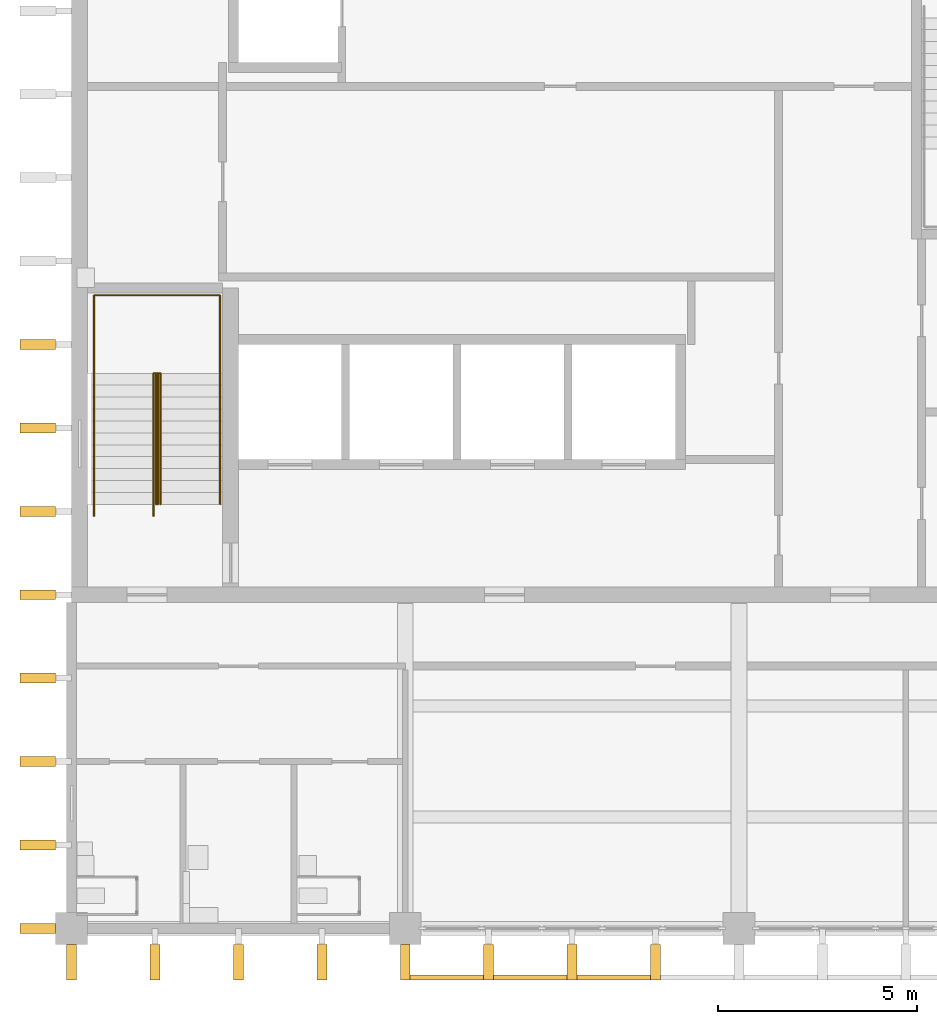
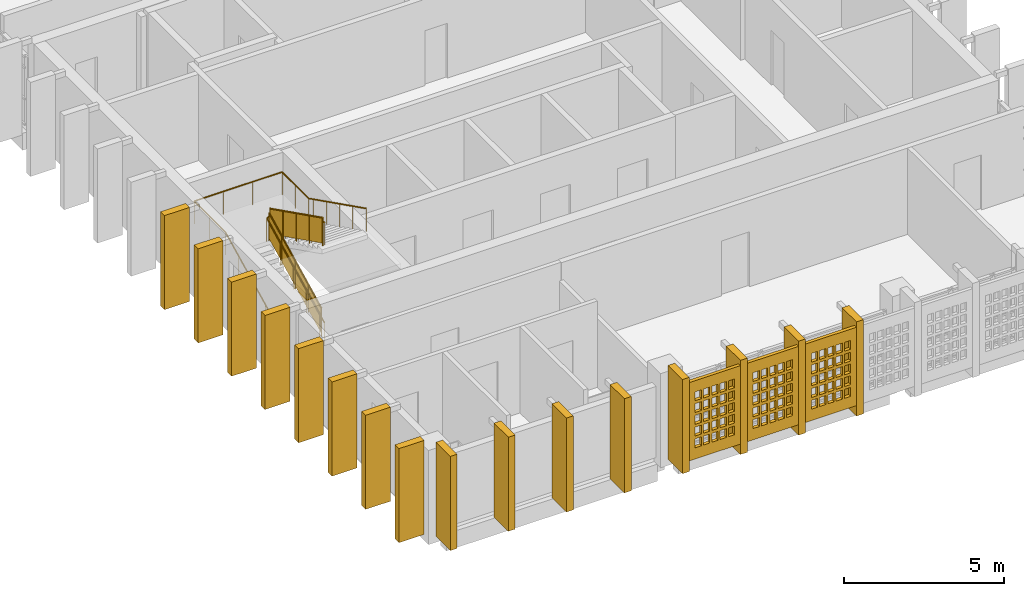
# One storey, part 8 of 13: 19 shading devices, 4 railings, 3 openings.
"""IFC4 building model written with IfcOpenShell, lengths in metres."""

from ifc_helpers import new_model, si_unit, direction, frame, origin, origin_2d, place, context, subcontext, project, spatial, polyline, rectangle, circle, outline, extrude, material, layer, layer_set, material_profile, profile_set, type_object, element, save


model = new_model("IFC4")

# Units and contexts
model_context = context("Model", 3, precision=1e-05, world=origin(), true_north=direction((0.0, 1.0)))
body_context = subcontext(model_context, "Body", "Model", "MODEL_VIEW")
ifc_project = project(units=[si_unit("LENGTHUNIT", "METRE"), si_unit("AREAUNIT", "SQUARE_METRE"), si_unit("VOLUMEUNIT", "CUBIC_METRE"), si_unit("PLANEANGLEUNIT", "RADIAN"), si_unit("MASSUNIT", "GRAM", prefix="KILO")], contexts=[model_context])

# Site, building, storey
site_placement = place(None, origin())
site = spatial("IfcSite", under=ifc_project, at=site_placement, CompositionType="ELEMENT")
building_placement = place(site_placement, origin())
building = spatial("IfcBuilding", under=site, at=building_placement, Name="Rulbaag Community and Learning Centre", CompositionType="ELEMENT")
storey_placement = place(building_placement, frame((0.0, 0.0, 39.60009765625)))
storey = spatial("IfcBuildingStorey", under=building, at=storey_placement, Name="L10", CompositionType="ELEMENT", Elevation=39.60009765625)

# Shading devices
ifc_material_1 = material(Name="Concrete M40", Category="concrete")
ifc_material_profile = material_profile(ifc_material_1, rectangle(XDim=0.25, YDim=0.89990234375, at=origin_2d()), Name="PC 250x900")
ifc_profile_set = profile_set([ifc_material_profile], Name="Concrete M40")
shading_device_type_1 = type_object("IfcShadingDeviceType", Name="FIN-H", PredefinedType="JALOUSIE", material=ifc_profile_set)
for number, where, z_axis, x_axis, name in (
    (1, (142.800048828125, 83.14990234375, 0.0), (0.0, 0.0, 1.0), (1.0, 0.0, 0.0), "Precast fin"),
    (2, (144.89990234375, 83.14990234375, 0.0), (0.0, 0.0, 1.0), (1.0, 0.0, 0.0), "Precast fin"),
    (3, (147.0, 83.14990234375, 0.0), (0.0, 0.0, 1.0), (1.0, 0.0, 0.0), "Precast fin"),
    (4, (149.10009765625, 83.14990234375, 0.0), (0.0, 0.0, 1.0), (1.0, 0.0, 0.0), "Precast fin"),
    (5, (151.199951171875, 83.14990234375, 0.0), (0.0, 0.0, 1.0), (1.0, 0.0, 0.0), "Precast fin"),
    (6, (153.300048828125, 83.14990234375, 0.0), (0.0, 0.0, 1.0), (1.0, 0.0, 0.0), "Precast fin"),
    (7, (155.39990234375, 83.14990234375, 0.0), (0.0, 0.0, 1.0), (1.0, 0.0, 0.0), "Precast fin"),
    (8, (157.5, 83.14990234375, 0.0), (0.0, 0.0, 1.0), (1.0, 0.0, 0.0), "Precast fin"),
    (9, (141.949951171875, 84.0, 0.0), (0.0, 0.0, 1.0), (0.0, 1.0, 0.0), "Precast fin"),
    (10, (141.949951171875, 86.10009765625, 0.0), (0.0, 0.0, 1.0), (0.0, 1.0, 0.0), "Precast fin"),
    (11, (141.949951171875, 88.199951171875, 0.0), (0.0, 0.0, 1.0), (0.0, 1.0, 0.0), "Precast fin"),
    (12, (141.949951171875, 90.300048828125, 0.0), (0.0, 0.0, 1.0), (0.0, 1.0, 0.0), "Precast fin"),
    (13, (141.949951171875, 92.39990234375, 0.0), (0.0, 0.0, 1.0), (0.0, 1.0, 0.0), "Precast fin"),
    (14, (141.949951171875, 94.5, 0.0), (0.0, 0.0, 1.0), (0.0, 1.0, 0.0), "Precast fin"),
    (15, (141.949951171875, 96.60009765625, 0.0), (0.0, 0.0, 1.0), (0.0, 1.0, 0.0), "Precast fin"),
    (16, (141.949951171875, 98.699951171875, 0.0), (0.0, 0.0, 1.0), (0.0, 1.0, 0.0), "Precast fin"),
):
    element("IfcShadingDevice", number, at=place(storey_placement, frame(where, z_axis=z_axis, x_axis=x_axis)), inside=storey, type_object=shading_device_type_1, Name=name, PredefinedType="JALOUSIE", context=body_context, shape_type="SweptSolid", body=[
        extrude(rectangle(XDim=0.25, YDim=0.89990234375, at=origin_2d()), origin(), (0.0, 0.0, 1.0), 3.599853515625),
    ])

# Railings
ifc_material_2 = material(Name="Galvanised mild steel", Category="steel")
railing_type_1 = type_object("IfcRailingType", Name="GR-1100 GUARD 1100", PredefinedType="GUARDRAIL", material=ifc_material_2)
railing_1_placement = place(storey_placement, frame((144.929931640625, 94.675048828125, 0.14990234375)))
element("IfcRailing", 17, at=railing_1_placement, inside=storey, type_object=railing_type_1, Name="Guard ST1 L10 G", PredefinedType="GUARDRAIL", context=body_context, shape_type="SweptSolid", body=[
    extrude(circle(Radius=0.02490234375, at=origin_2d()), frame((0.0, 0.0, 1.0751953125), z_axis=(0.0, 0.894440424912, 0.447187126696), x_axis=(-1.0, 0.0, 0.0)), (0.0, 0.0, 1.0), 3.689453125),
    extrude(circle(Radius=0.02001953125, at=origin_2d()), origin(), (0.0, 0.0, 1.0), 1.050048828125),
    extrude(circle(Radius=0.02001953125, at=origin_2d()), frame((0.0, 0.824951171875, 0.41259765625)), (0.0, 0.0, 1.0), 1.050048828125),
    extrude(circle(Radius=0.02001953125, at=origin_2d()), frame((0.0, 1.64990234375, 0.824951171875)), (0.0, 0.0, 1.0), 1.050048828125),
    extrude(circle(Radius=0.02001953125, at=origin_2d()), frame((0.0, 2.47509765625, 1.2373046875)), (0.0, 0.0, 1.0), 1.050048828125),
    extrude(circle(Radius=0.02001953125, at=origin_2d()), frame((0.0, 3.300048828125, 1.64990234375)), (0.0, 0.0, 1.0), 1.050048828125),
    extrude(outline(polyline([(0.0, 0.0), (3.300048828125, 1.64990234375), (3.300048828125, 2.599853515625), (0.0, 0.949951171875), (0.0, 0.0)])), frame((-0.0048828125, 0.0, 0.10009765625), z_axis=(1.0, 0.0, 0.0), x_axis=(0.0, 1.0, 0.0)), (0.0, 0.0, 1.0), 0.010009765625),
])
railing_2_placement = place(storey_placement, frame((144.969970703125, 97.97509765625, 1.949951171875)))
element("IfcRailing", 18, at=railing_2_placement, inside=storey, type_object=railing_type_1, Name="Guard ST1 L10 G2", PredefinedType="GUARDRAIL", context=body_context, shape_type="SweptSolid", body=[
    extrude(circle(Radius=0.02490234375, at=origin_2d()), frame((0.0, 0.0, 1.0751953125), z_axis=(0.0, -0.894440424912, 0.447187126696), x_axis=(1.0, 0.0, 0.0)), (0.0, 0.0, 1.0), 3.689453125),
    extrude(circle(Radius=0.02001953125, at=origin_2d()), origin(), (0.0, 0.0, 1.0), 1.050048828125),
    extrude(circle(Radius=0.02001953125, at=origin_2d()), frame((0.0, -0.824951171875, 0.41259765625)), (0.0, 0.0, 1.0), 1.050048828125),
    extrude(circle(Radius=0.02001953125, at=origin_2d()), frame((0.0, -1.64990234375, 0.824951171875)), (0.0, 0.0, 1.0), 1.050048828125),
    extrude(circle(Radius=0.02001953125, at=origin_2d()), frame((0.0, -2.47509765625, 1.2373046875)), (0.0, 0.0, 1.0), 1.050048828125),
    extrude(circle(Radius=0.02001953125, at=origin_2d()), frame((0.0, -3.300048828125, 1.64990234375)), (0.0, 0.0, 1.0), 1.050048828125),
    extrude(outline(polyline([(0.0, 0.0), (3.300048828125, 1.64990234375), (3.300048828125, 2.599853515625), (0.0, 0.949951171875), (0.0, 0.0)])), frame((0.0048828125, 0.0, 0.10009765625), z_axis=(-1.0, 0.0, 0.0), x_axis=(0.0, -1.0, 0.0)), (0.0, 0.0, 1.0), 0.010009765625),
])
ifc_material_3 = material(Name="Stainless steel grade 316", Category="steel")
railing_type_2 = type_object("IfcRailingType", Name="HR-900 HANDRAIL 900", PredefinedType="HANDRAIL", material=ifc_material_3)
railing_3_placement = place(storey_placement, frame((143.360107421875, 94.375, 0.0)))
element("IfcRailing", 19, at=railing_3_placement, inside=storey, type_object=railing_type_2, Name="Handrail ST1 L10 O", PredefinedType="HANDRAIL", context=body_context, shape_type="SweptSolid", body=[
    extrude(circle(Radius=0.024169921875, at=origin_2d()), frame((0.0, 0.0, 0.875732421875), z_axis=(0.0, 0.894572720946, 0.446922417137), x_axis=(-1.0, 0.0, 0.0)), (0.0, 0.0, 1.0), 0.33544921875),
    extrude(circle(Radius=0.024169921875, at=origin_2d()), frame((0.0, 0.300048828125, 1.025634765625), z_axis=(0.0, 0.894440424912, 0.447187126696), x_axis=(-1.0, 0.0, 0.0)), (0.0, 0.0, 1.0), 3.689453125),
    extrude(circle(Radius=0.024169921875, at=origin_2d()), frame((0.0, 3.60009765625, 2.675537109375), z_axis=(0.0, 1.0, 0.0), x_axis=(-1.0, 0.0, 0.0)), (0.0, 0.0, 1.0), 1.96484375),
    extrude(circle(Radius=0.024169921875, at=origin_2d()), frame((0.0, 5.56494140625, 2.675537109375), z_axis=(1.0, 0.0, 0.0), x_axis=(0.0, 1.0, 0.0)), (0.0, 0.0, 1.0), 3.179931640625),
    extrude(circle(Radius=0.024169921875, at=origin_2d()), frame((3.179931640625, 5.56494140625, 2.675537109375), z_axis=(0.0, -1.0, 0.0), x_axis=(1.0, 0.0, 0.0)), (0.0, 0.0, 1.0), 1.6650390625),
    extrude(circle(Radius=0.024169921875, at=origin_2d()), frame((3.179931640625, 3.89990234375, 2.675537109375), z_axis=(0.0, -0.894135751892, 0.447795999523), x_axis=(1.0, 0.0, 0.0)), (0.0, 0.0, 1.0), 0.335205078125),
    extrude(circle(Radius=0.024169921875, at=origin_2d()), frame((3.179931640625, 3.60009765625, 2.82568359375), z_axis=(0.0, -0.894440424912, 0.447187126696), x_axis=(1.0, 0.0, 0.0)), (0.0, 0.0, 1.0), 3.689453125),
    extrude(circle(Radius=0.008056640625, at=origin_2d()), origin(), (0.0, 0.0, 1.0), 0.8515625),
    extrude(circle(Radius=0.008056640625, at=origin_2d()), frame((0.0, 0.300048828125, 0.14990234375)), (0.0, 0.0, 1.0), 0.8515625),
    extrude(circle(Radius=0.008056640625, at=origin_2d()), frame((0.0, 1.125, 0.5625)), (0.0, 0.0, 1.0), 0.8515625),
    extrude(circle(Radius=0.008056640625, at=origin_2d()), frame((0.0, 1.9501953125, 0.974853515625)), (0.0, 0.0, 1.0), 0.8515625),
    extrude(circle(Radius=0.008056640625, at=origin_2d()), frame((0.0, 2.775146484375, 1.38720703125)), (0.0, 0.0, 1.0), 0.8515625),
    extrude(circle(Radius=0.008056640625, at=origin_2d()), frame((0.0, 3.60009765625, 1.7998046875)), (0.0, 0.0, 1.0), 0.8515625),
    extrude(circle(Radius=0.008056640625, at=origin_2d()), frame((0.0, 4.58251953125, 1.7998046875)), (0.0, 0.0, 1.0), 0.8515625),
    extrude(circle(Radius=0.008056640625, at=origin_2d()), frame((0.0, 5.56494140625, 1.7998046875)), (0.0, 0.0, 1.0), 0.8515625),
    extrude(circle(Radius=0.008056640625, at=origin_2d()), frame((1.06005859375, 5.56494140625, 1.7998046875)), (0.0, 0.0, 1.0), 0.8515625),
    extrude(circle(Radius=0.008056640625, at=origin_2d()), frame((2.119873046875, 5.56494140625, 1.7998046875)), (0.0, 0.0, 1.0), 0.8515625),
    extrude(circle(Radius=0.008056640625, at=origin_2d()), frame((3.179931640625, 5.56494140625, 1.7998046875)), (0.0, 0.0, 1.0), 0.8515625),
    extrude(circle(Radius=0.008056640625, at=origin_2d()), frame((3.179931640625, 4.732421875, 1.7998046875)), (0.0, 0.0, 1.0), 0.8515625),
    extrude(circle(Radius=0.008056640625, at=origin_2d()), frame((3.179931640625, 3.89990234375, 1.7998046875)), (0.0, 0.0, 1.0), 0.8515625),
    extrude(circle(Radius=0.008056640625, at=origin_2d()), frame((3.179931640625, 3.60009765625, 1.949951171875)), (0.0, 0.0, 1.0), 0.8515625),
    extrude(circle(Radius=0.008056640625, at=origin_2d()), frame((3.179931640625, 2.775146484375, 2.3623046875)), (0.0, 0.0, 1.0), 0.8515625),
    extrude(circle(Radius=0.008056640625, at=origin_2d()), frame((3.179931640625, 1.9501953125, 2.77490234375)), (0.0, 0.0, 1.0), 0.8515625),
    extrude(circle(Radius=0.008056640625, at=origin_2d()), frame((3.179931640625, 1.125, 3.1875)), (0.0, 0.0, 1.0), 0.8515625),
    extrude(circle(Radius=0.008056640625, at=origin_2d()), frame((3.179931640625, 0.300048828125, 3.599853515625)), (0.0, 0.0, 1.0), 0.8515625),
])
railing_4_placement = place(storey_placement, frame((144.860107421875, 94.375, 0.0)))
element("IfcRailing", 20, at=railing_4_placement, inside=storey, type_object=railing_type_2, Name="Handrail ST1 L10 I", PredefinedType="HANDRAIL", context=body_context, shape_type="SweptSolid", body=[
    extrude(circle(Radius=0.024169921875, at=origin_2d()), frame((0.0, 0.0, 0.875732421875), z_axis=(0.0, 0.894572720946, 0.446922417137), x_axis=(-1.0, 0.0, 0.0)), (0.0, 0.0, 1.0), 0.33544921875),
    extrude(circle(Radius=0.024169921875, at=origin_2d()), frame((0.0, 0.300048828125, 1.025634765625), z_axis=(0.0, 0.894440424912, 0.447187126696), x_axis=(-1.0, 0.0, 0.0)), (0.0, 0.0, 1.0), 3.689453125),
    extrude(circle(Radius=0.024169921875, at=origin_2d()), frame((0.0, 3.60009765625, 2.675537109375), z_axis=(0.767794148456, 0.0, 0.640696609634), x_axis=(0.0, 1.0, 0.0)), (0.0, 0.0, 1.0), 0.234375),
    extrude(circle(Radius=0.024169921875, at=origin_2d()), frame((0.179931640625, 3.60009765625, 2.82568359375), z_axis=(0.0, -0.894440424912, 0.447187126696), x_axis=(1.0, 0.0, 0.0)), (0.0, 0.0, 1.0), 3.689453125),
    extrude(circle(Radius=0.008056640625, at=origin_2d()), origin(), (0.0, 0.0, 1.0), 0.8515625),
    extrude(circle(Radius=0.008056640625, at=origin_2d()), frame((0.0, 0.300048828125, 0.14990234375)), (0.0, 0.0, 1.0), 0.8515625),
    extrude(circle(Radius=0.008056640625, at=origin_2d()), frame((0.0, 1.125, 0.5625)), (0.0, 0.0, 1.0), 0.8515625),
    extrude(circle(Radius=0.008056640625, at=origin_2d()), frame((0.0, 1.9501953125, 0.974853515625)), (0.0, 0.0, 1.0), 0.8515625),
    extrude(circle(Radius=0.008056640625, at=origin_2d()), frame((0.0, 2.775146484375, 1.38720703125)), (0.0, 0.0, 1.0), 0.8515625),
    extrude(circle(Radius=0.008056640625, at=origin_2d()), frame((0.0, 3.60009765625, 1.7998046875)), (0.0, 0.0, 1.0), 0.8515625),
    extrude(circle(Radius=0.008056640625, at=origin_2d()), frame((0.179931640625, 3.60009765625, 1.949951171875)), (0.0, 0.0, 1.0), 0.8515625),
    extrude(circle(Radius=0.008056640625, at=origin_2d()), frame((0.179931640625, 2.775146484375, 2.3623046875)), (0.0, 0.0, 1.0), 0.8515625),
    extrude(circle(Radius=0.008056640625, at=origin_2d()), frame((0.179931640625, 1.9501953125, 2.77490234375)), (0.0, 0.0, 1.0), 0.8515625),
    extrude(circle(Radius=0.008056640625, at=origin_2d()), frame((0.179931640625, 1.125, 3.1875)), (0.0, 0.0, 1.0), 0.8515625),
    extrude(circle(Radius=0.008056640625, at=origin_2d()), frame((0.179931640625, 0.300048828125, 3.599853515625)), (0.0, 0.0, 1.0), 0.8515625),
])

# Shading device, opening
ifc_layer = layer(ifc_material_1, 0.1201171875)
ifc_layer_set = layer_set([ifc_layer], Name="JB-83")
shading_device_type_2 = type_object("IfcShadingDeviceType", Name="JB-83", PredefinedType="SHUTTER", material=ifc_layer_set)
shading_device_1_placement = place(storey_placement, frame((152.25, 82.760009765625, 0.39990234375), z_axis=(0.0, 0.0, 1.0), x_axis=(1.0, 0.0, 0.0)))
shading_device_1 = element("IfcShadingDevice", 21, at=shading_device_1_placement, inside=storey, type_object=shading_device_type_2, Name="Jaali screen", PredefinedType="SHUTTER", context=body_context, shape_type="SweptSolid", body=[
    extrude(rectangle(XDim=1.85009765625, YDim=0.1201171875, at=origin_2d()), origin(), (0.0, 0.0, 1.0), 3.0),
])
opening_1_placement = place(shading_device_1_placement, origin())
element("IfcOpeningElement", 22, at=opening_1_placement, cuts=shading_device_1, Name="Perforation JB1", PredefinedType="OPENING", context=body_context, shape_type="SweptSolid", body=[
    extrude(rectangle(XDim=0.22509765625, YDim=0.340087890625, at=origin_2d()), frame((-0.60009765625, -0.070068359375, 0.60009765625), z_axis=(0.0, 1.0, 0.0), x_axis=(1.0, 0.0, 0.0)), (0.0, 0.0, 1.0), 0.139892578125),
    extrude(rectangle(XDim=0.22509765625, YDim=0.340087890625, at=origin_2d()), frame((-0.300048828125, -0.070068359375, 0.60009765625), z_axis=(0.0, 1.0, 0.0), x_axis=(1.0, 0.0, 0.0)), (0.0, 0.0, 1.0), 0.139892578125),
    extrude(rectangle(XDim=0.22509765625, YDim=0.340087890625, at=origin_2d()), frame((0.0, -0.070068359375, 0.60009765625), z_axis=(0.0, 1.0, 0.0), x_axis=(1.0, 0.0, 0.0)), (0.0, 0.0, 1.0), 0.139892578125),
    extrude(rectangle(XDim=0.22509765625, YDim=0.340087890625, at=origin_2d()), frame((0.300048828125, -0.070068359375, 0.60009765625), z_axis=(0.0, 1.0, 0.0), x_axis=(1.0, 0.0, 0.0)), (0.0, 0.0, 1.0), 0.139892578125),
    extrude(rectangle(XDim=0.22509765625, YDim=0.340087890625, at=origin_2d()), frame((0.60009765625, -0.070068359375, 0.60009765625), z_axis=(0.0, 1.0, 0.0), x_axis=(1.0, 0.0, 0.0)), (0.0, 0.0, 1.0), 0.139892578125),
    extrude(rectangle(XDim=0.22509765625, YDim=0.340087890625, at=origin_2d()), frame((-0.60009765625, -0.070068359375, 1.050048828125), z_axis=(0.0, 1.0, 0.0), x_axis=(1.0, 0.0, 0.0)), (0.0, 0.0, 1.0), 0.139892578125),
    extrude(rectangle(XDim=0.22509765625, YDim=0.340087890625, at=origin_2d()), frame((-0.300048828125, -0.070068359375, 1.050048828125), z_axis=(0.0, 1.0, 0.0), x_axis=(1.0, 0.0, 0.0)), (0.0, 0.0, 1.0), 0.139892578125),
    extrude(rectangle(XDim=0.22509765625, YDim=0.340087890625, at=origin_2d()), frame((0.0, -0.070068359375, 1.050048828125), z_axis=(0.0, 1.0, 0.0), x_axis=(1.0, 0.0, 0.0)), (0.0, 0.0, 1.0), 0.139892578125),
    extrude(rectangle(XDim=0.22509765625, YDim=0.340087890625, at=origin_2d()), frame((0.300048828125, -0.070068359375, 1.050048828125), z_axis=(0.0, 1.0, 0.0), x_axis=(1.0, 0.0, 0.0)), (0.0, 0.0, 1.0), 0.139892578125),
    extrude(rectangle(XDim=0.22509765625, YDim=0.340087890625, at=origin_2d()), frame((0.60009765625, -0.070068359375, 1.050048828125), z_axis=(0.0, 1.0, 0.0), x_axis=(1.0, 0.0, 0.0)), (0.0, 0.0, 1.0), 0.139892578125),
    extrude(rectangle(XDim=0.22509765625, YDim=0.340087890625, at=origin_2d()), frame((-0.60009765625, -0.070068359375, 1.5), z_axis=(0.0, 1.0, 0.0), x_axis=(1.0, 0.0, 0.0)), (0.0, 0.0, 1.0), 0.139892578125),
    extrude(rectangle(XDim=0.22509765625, YDim=0.340087890625, at=origin_2d()), frame((-0.300048828125, -0.070068359375, 1.5), z_axis=(0.0, 1.0, 0.0), x_axis=(1.0, 0.0, 0.0)), (0.0, 0.0, 1.0), 0.139892578125),
    extrude(rectangle(XDim=0.22509765625, YDim=0.340087890625, at=origin_2d()), frame((0.0, -0.070068359375, 1.5), z_axis=(0.0, 1.0, 0.0), x_axis=(1.0, 0.0, 0.0)), (0.0, 0.0, 1.0), 0.139892578125),
    extrude(rectangle(XDim=0.22509765625, YDim=0.340087890625, at=origin_2d()), frame((0.300048828125, -0.070068359375, 1.5), z_axis=(0.0, 1.0, 0.0), x_axis=(1.0, 0.0, 0.0)), (0.0, 0.0, 1.0), 0.139892578125),
    extrude(rectangle(XDim=0.22509765625, YDim=0.340087890625, at=origin_2d()), frame((0.60009765625, -0.070068359375, 1.5), z_axis=(0.0, 1.0, 0.0), x_axis=(1.0, 0.0, 0.0)), (0.0, 0.0, 1.0), 0.139892578125),
    extrude(rectangle(XDim=0.22509765625, YDim=0.340087890625, at=origin_2d()), frame((-0.60009765625, -0.070068359375, 1.949951171875), z_axis=(0.0, 1.0, 0.0), x_axis=(1.0, 0.0, 0.0)), (0.0, 0.0, 1.0), 0.139892578125),
    extrude(rectangle(XDim=0.22509765625, YDim=0.340087890625, at=origin_2d()), frame((-0.300048828125, -0.070068359375, 1.949951171875), z_axis=(0.0, 1.0, 0.0), x_axis=(1.0, 0.0, 0.0)), (0.0, 0.0, 1.0), 0.139892578125),
    extrude(rectangle(XDim=0.22509765625, YDim=0.340087890625, at=origin_2d()), frame((0.0, -0.070068359375, 1.949951171875), z_axis=(0.0, 1.0, 0.0), x_axis=(1.0, 0.0, 0.0)), (0.0, 0.0, 1.0), 0.139892578125),
    extrude(rectangle(XDim=0.22509765625, YDim=0.340087890625, at=origin_2d()), frame((0.300048828125, -0.070068359375, 1.949951171875), z_axis=(0.0, 1.0, 0.0), x_axis=(1.0, 0.0, 0.0)), (0.0, 0.0, 1.0), 0.139892578125),
    extrude(rectangle(XDim=0.22509765625, YDim=0.340087890625, at=origin_2d()), frame((0.60009765625, -0.070068359375, 1.949951171875), z_axis=(0.0, 1.0, 0.0), x_axis=(1.0, 0.0, 0.0)), (0.0, 0.0, 1.0), 0.139892578125),
    extrude(rectangle(XDim=0.22509765625, YDim=0.340087890625, at=origin_2d()), frame((-0.60009765625, -0.070068359375, 2.39990234375), z_axis=(0.0, 1.0, 0.0), x_axis=(1.0, 0.0, 0.0)), (0.0, 0.0, 1.0), 0.139892578125),
    extrude(rectangle(XDim=0.22509765625, YDim=0.340087890625, at=origin_2d()), frame((-0.300048828125, -0.070068359375, 2.39990234375), z_axis=(0.0, 1.0, 0.0), x_axis=(1.0, 0.0, 0.0)), (0.0, 0.0, 1.0), 0.139892578125),
    extrude(rectangle(XDim=0.22509765625, YDim=0.340087890625, at=origin_2d()), frame((0.0, -0.070068359375, 2.39990234375), z_axis=(0.0, 1.0, 0.0), x_axis=(1.0, 0.0, 0.0)), (0.0, 0.0, 1.0), 0.139892578125),
    extrude(rectangle(XDim=0.22509765625, YDim=0.340087890625, at=origin_2d()), frame((0.300048828125, -0.070068359375, 2.39990234375), z_axis=(0.0, 1.0, 0.0), x_axis=(1.0, 0.0, 0.0)), (0.0, 0.0, 1.0), 0.139892578125),
    extrude(rectangle(XDim=0.22509765625, YDim=0.340087890625, at=origin_2d()), frame((0.60009765625, -0.070068359375, 2.39990234375), z_axis=(0.0, 1.0, 0.0), x_axis=(1.0, 0.0, 0.0)), (0.0, 0.0, 1.0), 0.139892578125),
])

shading_device_2_placement = place(storey_placement, frame((154.35009765625, 82.760009765625, 0.39990234375), z_axis=(0.0, 0.0, 1.0), x_axis=(1.0, 0.0, 0.0)))
shading_device_2 = element("IfcShadingDevice", 23, at=shading_device_2_placement, inside=storey, type_object=shading_device_type_2, Name="Jaali screen", PredefinedType="SHUTTER", context=body_context, shape_type="SweptSolid", body=[
    extrude(rectangle(XDim=1.85009765625, YDim=0.1201171875, at=origin_2d()), origin(), (0.0, 0.0, 1.0), 3.0),
])
opening_2_placement = place(shading_device_2_placement, origin())
element("IfcOpeningElement", 24, at=opening_2_placement, cuts=shading_device_2, Name="Perforation JB1", PredefinedType="OPENING", context=body_context, shape_type="SweptSolid", body=[
    extrude(rectangle(XDim=0.22509765625, YDim=0.340087890625, at=origin_2d()), frame((-0.60009765625, -0.070068359375, 0.60009765625), z_axis=(0.0, 1.0, 0.0), x_axis=(1.0, 0.0, 0.0)), (0.0, 0.0, 1.0), 0.139892578125),
    extrude(rectangle(XDim=0.22509765625, YDim=0.340087890625, at=origin_2d()), frame((-0.300048828125, -0.070068359375, 0.60009765625), z_axis=(0.0, 1.0, 0.0), x_axis=(1.0, 0.0, 0.0)), (0.0, 0.0, 1.0), 0.139892578125),
    extrude(rectangle(XDim=0.22509765625, YDim=0.340087890625, at=origin_2d()), frame((0.0, -0.070068359375, 0.60009765625), z_axis=(0.0, 1.0, 0.0), x_axis=(1.0, 0.0, 0.0)), (0.0, 0.0, 1.0), 0.139892578125),
    extrude(rectangle(XDim=0.22509765625, YDim=0.340087890625, at=origin_2d()), frame((0.300048828125, -0.070068359375, 0.60009765625), z_axis=(0.0, 1.0, 0.0), x_axis=(1.0, 0.0, 0.0)), (0.0, 0.0, 1.0), 0.139892578125),
    extrude(rectangle(XDim=0.22509765625, YDim=0.340087890625, at=origin_2d()), frame((0.60009765625, -0.070068359375, 0.60009765625), z_axis=(0.0, 1.0, 0.0), x_axis=(1.0, 0.0, 0.0)), (0.0, 0.0, 1.0), 0.139892578125),
    extrude(rectangle(XDim=0.22509765625, YDim=0.340087890625, at=origin_2d()), frame((-0.60009765625, -0.070068359375, 1.050048828125), z_axis=(0.0, 1.0, 0.0), x_axis=(1.0, 0.0, 0.0)), (0.0, 0.0, 1.0), 0.139892578125),
    extrude(rectangle(XDim=0.22509765625, YDim=0.340087890625, at=origin_2d()), frame((-0.300048828125, -0.070068359375, 1.050048828125), z_axis=(0.0, 1.0, 0.0), x_axis=(1.0, 0.0, 0.0)), (0.0, 0.0, 1.0), 0.139892578125),
    extrude(rectangle(XDim=0.22509765625, YDim=0.340087890625, at=origin_2d()), frame((0.0, -0.070068359375, 1.050048828125), z_axis=(0.0, 1.0, 0.0), x_axis=(1.0, 0.0, 0.0)), (0.0, 0.0, 1.0), 0.139892578125),
    extrude(rectangle(XDim=0.22509765625, YDim=0.340087890625, at=origin_2d()), frame((0.300048828125, -0.070068359375, 1.050048828125), z_axis=(0.0, 1.0, 0.0), x_axis=(1.0, 0.0, 0.0)), (0.0, 0.0, 1.0), 0.139892578125),
    extrude(rectangle(XDim=0.22509765625, YDim=0.340087890625, at=origin_2d()), frame((0.60009765625, -0.070068359375, 1.050048828125), z_axis=(0.0, 1.0, 0.0), x_axis=(1.0, 0.0, 0.0)), (0.0, 0.0, 1.0), 0.139892578125),
    extrude(rectangle(XDim=0.22509765625, YDim=0.340087890625, at=origin_2d()), frame((-0.60009765625, -0.070068359375, 1.5), z_axis=(0.0, 1.0, 0.0), x_axis=(1.0, 0.0, 0.0)), (0.0, 0.0, 1.0), 0.139892578125),
    extrude(rectangle(XDim=0.22509765625, YDim=0.340087890625, at=origin_2d()), frame((-0.300048828125, -0.070068359375, 1.5), z_axis=(0.0, 1.0, 0.0), x_axis=(1.0, 0.0, 0.0)), (0.0, 0.0, 1.0), 0.139892578125),
    extrude(rectangle(XDim=0.22509765625, YDim=0.340087890625, at=origin_2d()), frame((0.0, -0.070068359375, 1.5), z_axis=(0.0, 1.0, 0.0), x_axis=(1.0, 0.0, 0.0)), (0.0, 0.0, 1.0), 0.139892578125),
    extrude(rectangle(XDim=0.22509765625, YDim=0.340087890625, at=origin_2d()), frame((0.300048828125, -0.070068359375, 1.5), z_axis=(0.0, 1.0, 0.0), x_axis=(1.0, 0.0, 0.0)), (0.0, 0.0, 1.0), 0.139892578125),
    extrude(rectangle(XDim=0.22509765625, YDim=0.340087890625, at=origin_2d()), frame((0.60009765625, -0.070068359375, 1.5), z_axis=(0.0, 1.0, 0.0), x_axis=(1.0, 0.0, 0.0)), (0.0, 0.0, 1.0), 0.139892578125),
    extrude(rectangle(XDim=0.22509765625, YDim=0.340087890625, at=origin_2d()), frame((-0.60009765625, -0.070068359375, 1.949951171875), z_axis=(0.0, 1.0, 0.0), x_axis=(1.0, 0.0, 0.0)), (0.0, 0.0, 1.0), 0.139892578125),
    extrude(rectangle(XDim=0.22509765625, YDim=0.340087890625, at=origin_2d()), frame((-0.300048828125, -0.070068359375, 1.949951171875), z_axis=(0.0, 1.0, 0.0), x_axis=(1.0, 0.0, 0.0)), (0.0, 0.0, 1.0), 0.139892578125),
    extrude(rectangle(XDim=0.22509765625, YDim=0.340087890625, at=origin_2d()), frame((0.0, -0.070068359375, 1.949951171875), z_axis=(0.0, 1.0, 0.0), x_axis=(1.0, 0.0, 0.0)), (0.0, 0.0, 1.0), 0.139892578125),
    extrude(rectangle(XDim=0.22509765625, YDim=0.340087890625, at=origin_2d()), frame((0.300048828125, -0.070068359375, 1.949951171875), z_axis=(0.0, 1.0, 0.0), x_axis=(1.0, 0.0, 0.0)), (0.0, 0.0, 1.0), 0.139892578125),
    extrude(rectangle(XDim=0.22509765625, YDim=0.340087890625, at=origin_2d()), frame((0.60009765625, -0.070068359375, 1.949951171875), z_axis=(0.0, 1.0, 0.0), x_axis=(1.0, 0.0, 0.0)), (0.0, 0.0, 1.0), 0.139892578125),
    extrude(rectangle(XDim=0.22509765625, YDim=0.340087890625, at=origin_2d()), frame((-0.60009765625, -0.070068359375, 2.39990234375), z_axis=(0.0, 1.0, 0.0), x_axis=(1.0, 0.0, 0.0)), (0.0, 0.0, 1.0), 0.139892578125),
    extrude(rectangle(XDim=0.22509765625, YDim=0.340087890625, at=origin_2d()), frame((-0.300048828125, -0.070068359375, 2.39990234375), z_axis=(0.0, 1.0, 0.0), x_axis=(1.0, 0.0, 0.0)), (0.0, 0.0, 1.0), 0.139892578125),
    extrude(rectangle(XDim=0.22509765625, YDim=0.340087890625, at=origin_2d()), frame((0.0, -0.070068359375, 2.39990234375), z_axis=(0.0, 1.0, 0.0), x_axis=(1.0, 0.0, 0.0)), (0.0, 0.0, 1.0), 0.139892578125),
    extrude(rectangle(XDim=0.22509765625, YDim=0.340087890625, at=origin_2d()), frame((0.300048828125, -0.070068359375, 2.39990234375), z_axis=(0.0, 1.0, 0.0), x_axis=(1.0, 0.0, 0.0)), (0.0, 0.0, 1.0), 0.139892578125),
    extrude(rectangle(XDim=0.22509765625, YDim=0.340087890625, at=origin_2d()), frame((0.60009765625, -0.070068359375, 2.39990234375), z_axis=(0.0, 1.0, 0.0), x_axis=(1.0, 0.0, 0.0)), (0.0, 0.0, 1.0), 0.139892578125),
])

shading_device_3_placement = place(storey_placement, frame((156.449951171875, 82.760009765625, 0.39990234375), z_axis=(0.0, 0.0, 1.0), x_axis=(1.0, 0.0, 0.0)))
shading_device_3 = element("IfcShadingDevice", 25, at=shading_device_3_placement, inside=storey, type_object=shading_device_type_2, Name="Jaali screen", PredefinedType="SHUTTER", context=body_context, shape_type="SweptSolid", body=[
    extrude(rectangle(XDim=1.85009765625, YDim=0.1201171875, at=origin_2d()), origin(), (0.0, 0.0, 1.0), 3.0),
])
opening_3_placement = place(shading_device_3_placement, origin())
element("IfcOpeningElement", 26, at=opening_3_placement, cuts=shading_device_3, Name="Perforation JB1", PredefinedType="OPENING", context=body_context, shape_type="SweptSolid", body=[
    extrude(rectangle(XDim=0.22509765625, YDim=0.340087890625, at=origin_2d()), frame((-0.60009765625, -0.070068359375, 0.60009765625), z_axis=(0.0, 1.0, 0.0), x_axis=(1.0, 0.0, 0.0)), (0.0, 0.0, 1.0), 0.139892578125),
    extrude(rectangle(XDim=0.22509765625, YDim=0.340087890625, at=origin_2d()), frame((-0.300048828125, -0.070068359375, 0.60009765625), z_axis=(0.0, 1.0, 0.0), x_axis=(1.0, 0.0, 0.0)), (0.0, 0.0, 1.0), 0.139892578125),
    extrude(rectangle(XDim=0.22509765625, YDim=0.340087890625, at=origin_2d()), frame((0.0, -0.070068359375, 0.60009765625), z_axis=(0.0, 1.0, 0.0), x_axis=(1.0, 0.0, 0.0)), (0.0, 0.0, 1.0), 0.139892578125),
    extrude(rectangle(XDim=0.22509765625, YDim=0.340087890625, at=origin_2d()), frame((0.300048828125, -0.070068359375, 0.60009765625), z_axis=(0.0, 1.0, 0.0), x_axis=(1.0, 0.0, 0.0)), (0.0, 0.0, 1.0), 0.139892578125),
    extrude(rectangle(XDim=0.22509765625, YDim=0.340087890625, at=origin_2d()), frame((0.60009765625, -0.070068359375, 0.60009765625), z_axis=(0.0, 1.0, 0.0), x_axis=(1.0, 0.0, 0.0)), (0.0, 0.0, 1.0), 0.139892578125),
    extrude(rectangle(XDim=0.22509765625, YDim=0.340087890625, at=origin_2d()), frame((-0.60009765625, -0.070068359375, 1.050048828125), z_axis=(0.0, 1.0, 0.0), x_axis=(1.0, 0.0, 0.0)), (0.0, 0.0, 1.0), 0.139892578125),
    extrude(rectangle(XDim=0.22509765625, YDim=0.340087890625, at=origin_2d()), frame((-0.300048828125, -0.070068359375, 1.050048828125), z_axis=(0.0, 1.0, 0.0), x_axis=(1.0, 0.0, 0.0)), (0.0, 0.0, 1.0), 0.139892578125),
    extrude(rectangle(XDim=0.22509765625, YDim=0.340087890625, at=origin_2d()), frame((0.0, -0.070068359375, 1.050048828125), z_axis=(0.0, 1.0, 0.0), x_axis=(1.0, 0.0, 0.0)), (0.0, 0.0, 1.0), 0.139892578125),
    extrude(rectangle(XDim=0.22509765625, YDim=0.340087890625, at=origin_2d()), frame((0.300048828125, -0.070068359375, 1.050048828125), z_axis=(0.0, 1.0, 0.0), x_axis=(1.0, 0.0, 0.0)), (0.0, 0.0, 1.0), 0.139892578125),
    extrude(rectangle(XDim=0.22509765625, YDim=0.340087890625, at=origin_2d()), frame((0.60009765625, -0.070068359375, 1.050048828125), z_axis=(0.0, 1.0, 0.0), x_axis=(1.0, 0.0, 0.0)), (0.0, 0.0, 1.0), 0.139892578125),
    extrude(rectangle(XDim=0.22509765625, YDim=0.340087890625, at=origin_2d()), frame((-0.60009765625, -0.070068359375, 1.5), z_axis=(0.0, 1.0, 0.0), x_axis=(1.0, 0.0, 0.0)), (0.0, 0.0, 1.0), 0.139892578125),
    extrude(rectangle(XDim=0.22509765625, YDim=0.340087890625, at=origin_2d()), frame((-0.300048828125, -0.070068359375, 1.5), z_axis=(0.0, 1.0, 0.0), x_axis=(1.0, 0.0, 0.0)), (0.0, 0.0, 1.0), 0.139892578125),
    extrude(rectangle(XDim=0.22509765625, YDim=0.340087890625, at=origin_2d()), frame((0.0, -0.070068359375, 1.5), z_axis=(0.0, 1.0, 0.0), x_axis=(1.0, 0.0, 0.0)), (0.0, 0.0, 1.0), 0.139892578125),
    extrude(rectangle(XDim=0.22509765625, YDim=0.340087890625, at=origin_2d()), frame((0.300048828125, -0.070068359375, 1.5), z_axis=(0.0, 1.0, 0.0), x_axis=(1.0, 0.0, 0.0)), (0.0, 0.0, 1.0), 0.139892578125),
    extrude(rectangle(XDim=0.22509765625, YDim=0.340087890625, at=origin_2d()), frame((0.60009765625, -0.070068359375, 1.5), z_axis=(0.0, 1.0, 0.0), x_axis=(1.0, 0.0, 0.0)), (0.0, 0.0, 1.0), 0.139892578125),
    extrude(rectangle(XDim=0.22509765625, YDim=0.340087890625, at=origin_2d()), frame((-0.60009765625, -0.070068359375, 1.949951171875), z_axis=(0.0, 1.0, 0.0), x_axis=(1.0, 0.0, 0.0)), (0.0, 0.0, 1.0), 0.139892578125),
    extrude(rectangle(XDim=0.22509765625, YDim=0.340087890625, at=origin_2d()), frame((-0.300048828125, -0.070068359375, 1.949951171875), z_axis=(0.0, 1.0, 0.0), x_axis=(1.0, 0.0, 0.0)), (0.0, 0.0, 1.0), 0.139892578125),
    extrude(rectangle(XDim=0.22509765625, YDim=0.340087890625, at=origin_2d()), frame((0.0, -0.070068359375, 1.949951171875), z_axis=(0.0, 1.0, 0.0), x_axis=(1.0, 0.0, 0.0)), (0.0, 0.0, 1.0), 0.139892578125),
    extrude(rectangle(XDim=0.22509765625, YDim=0.340087890625, at=origin_2d()), frame((0.300048828125, -0.070068359375, 1.949951171875), z_axis=(0.0, 1.0, 0.0), x_axis=(1.0, 0.0, 0.0)), (0.0, 0.0, 1.0), 0.139892578125),
    extrude(rectangle(XDim=0.22509765625, YDim=0.340087890625, at=origin_2d()), frame((0.60009765625, -0.070068359375, 1.949951171875), z_axis=(0.0, 1.0, 0.0), x_axis=(1.0, 0.0, 0.0)), (0.0, 0.0, 1.0), 0.139892578125),
    extrude(rectangle(XDim=0.22509765625, YDim=0.340087890625, at=origin_2d()), frame((-0.60009765625, -0.070068359375, 2.39990234375), z_axis=(0.0, 1.0, 0.0), x_axis=(1.0, 0.0, 0.0)), (0.0, 0.0, 1.0), 0.139892578125),
    extrude(rectangle(XDim=0.22509765625, YDim=0.340087890625, at=origin_2d()), frame((-0.300048828125, -0.070068359375, 2.39990234375), z_axis=(0.0, 1.0, 0.0), x_axis=(1.0, 0.0, 0.0)), (0.0, 0.0, 1.0), 0.139892578125),
    extrude(rectangle(XDim=0.22509765625, YDim=0.340087890625, at=origin_2d()), frame((0.0, -0.070068359375, 2.39990234375), z_axis=(0.0, 1.0, 0.0), x_axis=(1.0, 0.0, 0.0)), (0.0, 0.0, 1.0), 0.139892578125),
    extrude(rectangle(XDim=0.22509765625, YDim=0.340087890625, at=origin_2d()), frame((0.300048828125, -0.070068359375, 2.39990234375), z_axis=(0.0, 1.0, 0.0), x_axis=(1.0, 0.0, 0.0)), (0.0, 0.0, 1.0), 0.139892578125),
    extrude(rectangle(XDim=0.22509765625, YDim=0.340087890625, at=origin_2d()), frame((0.60009765625, -0.070068359375, 2.39990234375), z_axis=(0.0, 1.0, 0.0), x_axis=(1.0, 0.0, 0.0)), (0.0, 0.0, 1.0), 0.139892578125),
])

save(model, "model.ifc")
